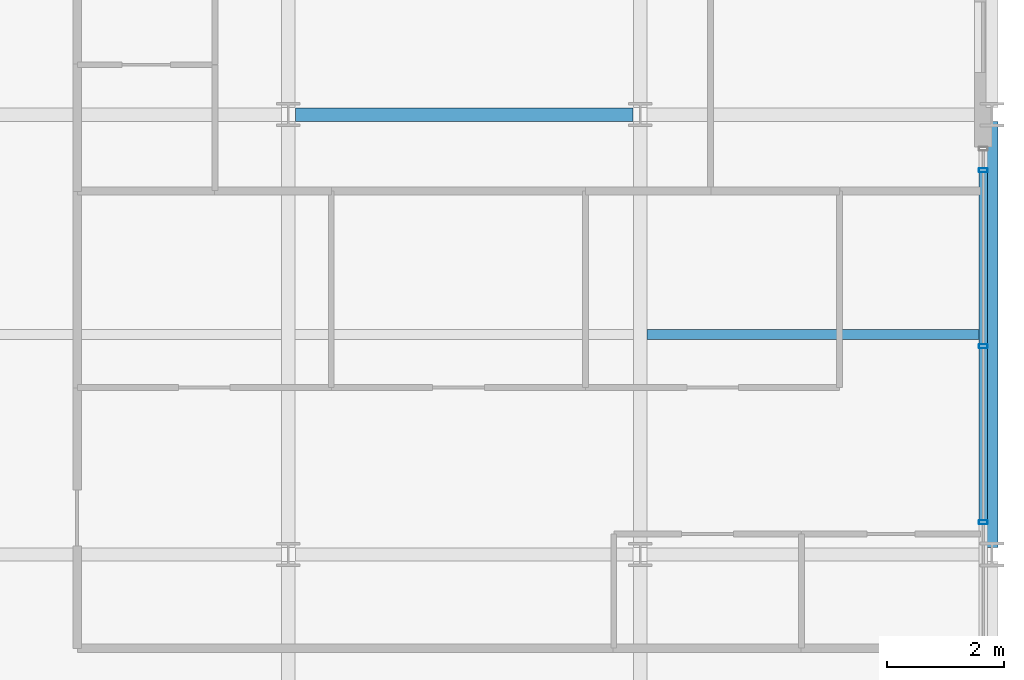
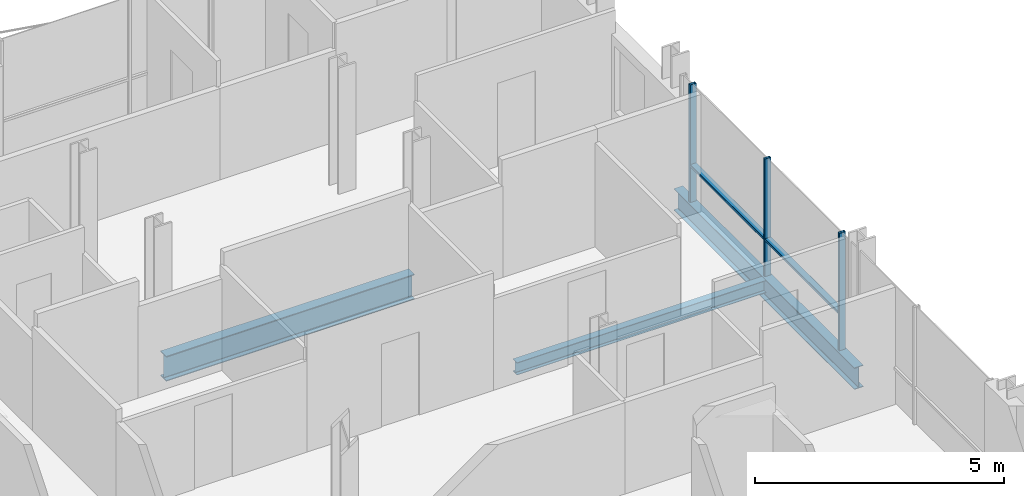
# One storey, part 21 of 41: 5 members, 3 beams, 1 element without a shape of its own.
"""IFC4 building model written with IfcOpenShell, lengths in metres."""

from ifc_helpers import new_model, si_unit, direction, frame, origin, origin_2d, place, context, subcontext, project, spatial, hollow_rectangle, i_section, extrude, material, layer, layer_set, material_profile, profile_set, type_object, element, aggregate, save


model = new_model("IFC4")

# Units and contexts
model_context = context("Model", 3, precision=1e-05, world=origin(), true_north=direction((0.0, 1.0)))
body_context = subcontext(model_context, "Body", "Model", "MODEL_VIEW")
ifc_project = project(units=[si_unit("LENGTHUNIT", "METRE"), si_unit("AREAUNIT", "SQUARE_METRE"), si_unit("VOLUMEUNIT", "CUBIC_METRE"), si_unit("PLANEANGLEUNIT", "RADIAN"), si_unit("MASSUNIT", "GRAM", prefix="KILO")], contexts=[model_context])

# Site, building, storey
site_placement = place(None, origin())
site = spatial("IfcSite", under=ifc_project, at=site_placement, CompositionType="ELEMENT")
building_placement = place(site_placement, origin())
building = spatial("IfcBuilding", under=site, at=building_placement, Name="Brevholm Reach", CompositionType="ELEMENT")
storey_placement = place(building_placement, frame((0.0, 0.0, 163.5)))
storey = spatial("IfcBuildingStorey", under=building, at=storey_placement, Name="L49", CompositionType="ELEMENT", Elevation=163.5)

# Beams
ifc_material_1 = material(Name="Structural Steel S355J2", Category="steel")
ifc_material_profile_1 = material_profile(ifc_material_1, i_section(OverallWidth=0.1650390625, OverallDepth=0.303466796875, WebThickness=0.006103515625, FlangeThickness=0.01025390625, FilletRadius=0.0087890625, at=origin_2d()), Name="UKB 305x165x40")
ifc_profile_set_1 = profile_set([ifc_material_profile_1], Name="Structural Steel S355J2")
beam_type_1 = type_object("IfcBeamType", Name="BM-B305", PredefinedType="BEAM", material=ifc_profile_set_1)
beam_1_placement = place(storey_placement, frame((54.114501953125, 19.75, -0.37158203125), z_axis=(1.0, 0.0, 0.0), x_axis=(0.0, 1.0, 0.0)))
element("IfcBeam", 1, at=beam_1_placement, inside=storey, type_object=beam_type_1, Name="L49 Composite Secondary Floor Beam", PredefinedType="BEAM", context=body_context, shape_type="SweptSolid", body=[
    extrude(i_section(OverallWidth=0.1650390625, OverallDepth=0.303466796875, WebThickness=0.006103515625, FlangeThickness=0.01025390625, FilletRadius=0.0087890625, at=origin_2d()), origin(), (0.0, 0.0, 1.0), 5.78076171875),
])
ifc_material_2 = material(Name="Structural Steel S355J2", Category="steel")
ifc_material_profile_2 = material_profile(ifc_material_2, i_section(OverallWidth=0.209228515625, OverallDepth=0.533203125, WebThickness=0.010009765625, FlangeThickness=0.015625, FilletRadius=0.0126953125, at=origin_2d()), Name="UKB 533x210x92")
ifc_profile_set_2 = profile_set([ifc_material_profile_2], Name="Structural Steel S355J2")
beam_type_2 = type_object("IfcBeamType", Name="BM-SP533", PredefinedType="SPANDREL", material=ifc_profile_set_2)
beam_2_placement = place(storey_placement, frame((60.0, 16.1201171875, -0.486572265625), z_axis=(0.0, 1.0, 0.0), x_axis=(-1.0, 0.0, 0.0)))
element("IfcBeam", 2, at=beam_2_placement, inside=storey, type_object=beam_type_2, Name="L49 SP-02 Framing Beam", PredefinedType="SPANDREL", context=body_context, shape_type="SweptSolid", body=[
    extrude(i_section(OverallWidth=0.209228515625, OverallDepth=0.533203125, WebThickness=0.010009765625, FlangeThickness=0.015625, FilletRadius=0.0126953125, at=origin_2d()), origin(), (0.0, 0.0, 1.0), 7.259765625),
])
ifc_material_3 = material(Name="Structural Steel S355J2", Category="steel")
ifc_material_profile_3 = material_profile(ifc_material_3, i_section(OverallWidth=0.22900390625, OverallDepth=0.6123046875, WebThickness=0.011962890625, FlangeThickness=0.01953125, FilletRadius=0.0126953125, at=origin_2d()), Name="UKB 610x229x125")
ifc_profile_set_3 = profile_set([ifc_material_profile_3], Name="Structural Steel S355J2")
beam_type_3 = type_object("IfcBeamType", Name="BM-SP610", PredefinedType="SPANDREL", material=ifc_profile_set_3)
beam_3_placement = place(storey_placement, frame((48.1201171875, 23.5, -0.526123046875), z_axis=(1.0, 0.0, 0.0), x_axis=(0.0, 1.0, 0.0)))
element("IfcBeam", 3, at=beam_3_placement, inside=storey, type_object=beam_type_3, Name="L49 SP-01 Framing Beam", PredefinedType="SPANDREL", context=body_context, shape_type="SweptSolid", body=[
    extrude(i_section(OverallWidth=0.22900390625, OverallDepth=0.6123046875, WebThickness=0.011962890625, FlangeThickness=0.01953125, FilletRadius=0.0126953125, at=origin_2d()), origin(), (0.0, 0.0, 1.0), 5.759765625),
])

# Curtain wall, members
ifc_material_4 = material(Name="Dark Anodised Aluminium 6063-T6 and Solar-Control Glass", Category="aluminium")
ifc_layer = layer(ifc_material_4, 0.14990234375)
ifc_layer_set = layer_set([ifc_layer], Name="Dark Anodised Aluminium 6063-T6 and Solar-Control Glass")
curtain_wall_type = type_object("IfcCurtainWallType", Name="CW-01", PredefinedType="NOTDEFINED", material=ifc_layer_set)
curtain_wall_placement = place(storey_placement, origin())
curtain_wall = element("IfcCurtainWall", 4, at=curtain_wall_placement, inside=storey, type_object=curtain_wall_type, Name="L49 Curtain Wall CW-01", PredefinedType="NOTDEFINED")
ifc_material_5 = material(Name="Dark Anodised Aluminium 6063-T6", Category="aluminium")
ifc_material_profile_4 = material_profile(ifc_material_5, hollow_rectangle(XDim=0.06494140625, YDim=0.14990234375, WallThickness=0.0048828125, InnerFilletRadius=0.0048828125, OuterFilletRadius=0.010009765625, at=origin_2d()), Name="RHS 150x65x5")
ifc_profile_set_4 = profile_set([ifc_material_profile_4], Name="Dark Anodised Aluminium 6063-T6")
member_type_1 = type_object("IfcMemberType", Name="CWM-150", PredefinedType="MULLION", material=ifc_profile_set_4)
member_1_placement = place(storey_placement, frame((59.85009765625, 16.550048828125, 0.0), z_axis=(0.0, 0.0, 1.0), x_axis=(0.0, 1.0, 0.0)))
member_1 = element("IfcMember", 5, at=member_1_placement, type_object=member_type_1, Name="CM-150 Mullion 3", PredefinedType="MULLION", context=body_context, shape_type="SweptSolid", body=[
    extrude(hollow_rectangle(XDim=0.06494140625, YDim=0.14990234375, WallThickness=0.0048828125, InnerFilletRadius=0.0048828125, OuterFilletRadius=0.010009765625, at=origin_2d()), origin(), (0.0, 0.0, 1.0), 2.8798828125),
])
member_2_placement = place(storey_placement, frame((59.85009765625, 19.550048828125, 0.0), z_axis=(0.0, 0.0, 1.0), x_axis=(0.0, 1.0, 0.0)))
member_2 = element("IfcMember", 6, at=member_2_placement, type_object=member_type_1, Name="CM-150 Mullion 4", PredefinedType="MULLION", context=body_context, shape_type="SweptSolid", body=[
    extrude(hollow_rectangle(XDim=0.06494140625, YDim=0.14990234375, WallThickness=0.0048828125, InnerFilletRadius=0.0048828125, OuterFilletRadius=0.010009765625, at=origin_2d()), origin(), (0.0, 0.0, 1.0), 2.8798828125),
])
member_3_placement = place(storey_placement, frame((59.85009765625, 22.550048828125, 0.0), z_axis=(0.0, 0.0, 1.0), x_axis=(0.0, 1.0, 0.0)))
member_3 = element("IfcMember", 7, at=member_3_placement, type_object=member_type_1, Name="CM-150 Mullion 5", PredefinedType="MULLION", context=body_context, shape_type="SweptSolid", body=[
    extrude(hollow_rectangle(XDim=0.06494140625, YDim=0.14990234375, WallThickness=0.0048828125, InnerFilletRadius=0.0048828125, OuterFilletRadius=0.010009765625, at=origin_2d()), origin(), (0.0, 0.0, 1.0), 2.8798828125),
])
ifc_material_6 = material(Name="Dark Anodised Aluminium 6063-T6", Category="aluminium")
ifc_material_profile_5 = material_profile(ifc_material_6, hollow_rectangle(XDim=0.06494140625, YDim=0.14990234375, WallThickness=0.0048828125, InnerFilletRadius=0.0048828125, OuterFilletRadius=0.010009765625, at=origin_2d()), Name="RHS 150x65x5")
ifc_profile_set_5 = profile_set([ifc_material_profile_5], Name="Dark Anodised Aluminium 6063-T6")
member_type_2 = type_object("IfcMemberType", Name="CWT-150", PredefinedType="NOTDEFINED", material=ifc_profile_set_5)
member_4_placement = place(storey_placement, frame((59.85009765625, 16.58251953125, 0.89990234375), z_axis=(0.0, 1.0, 0.0), x_axis=(0.0, 0.0, 1.0)))
member_4 = element("IfcMember", 8, at=member_4_placement, type_object=member_type_2, Name="CT-150 Transom 3.1", ObjectType="TRANSOM", PredefinedType="USERDEFINED", context=body_context, shape_type="SweptSolid", body=[
    extrude(hollow_rectangle(XDim=0.06494140625, YDim=0.14990234375, WallThickness=0.0048828125, InnerFilletRadius=0.0048828125, OuterFilletRadius=0.010009765625, at=origin_2d()), origin(), (0.0, 0.0, 1.0), 2.93505859375),
])
member_5_placement = place(storey_placement, frame((59.85009765625, 19.58251953125, 0.89990234375), z_axis=(0.0, 1.0, 0.0), x_axis=(0.0, 0.0, 1.0)))
member_5 = element("IfcMember", 9, at=member_5_placement, type_object=member_type_2, Name="CT-150 Transom 4.1", ObjectType="TRANSOM", PredefinedType="USERDEFINED", context=body_context, shape_type="SweptSolid", body=[
    extrude(hollow_rectangle(XDim=0.06494140625, YDim=0.14990234375, WallThickness=0.0048828125, InnerFilletRadius=0.0048828125, OuterFilletRadius=0.010009765625, at=origin_2d()), origin(), (0.0, 0.0, 1.0), 2.93505859375),
])
aggregate(curtain_wall, [member_1, member_2, member_3, member_4, member_5])

save(model, "model.ifc")
